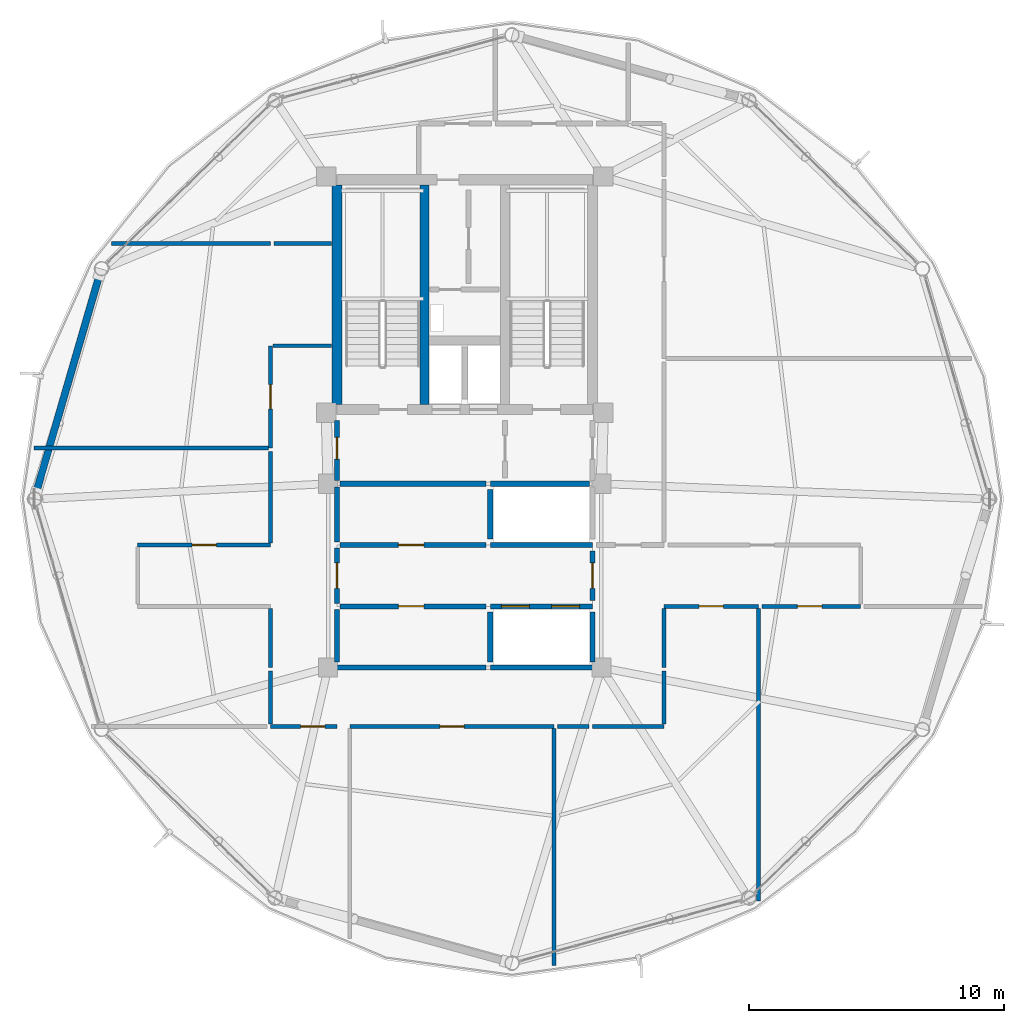
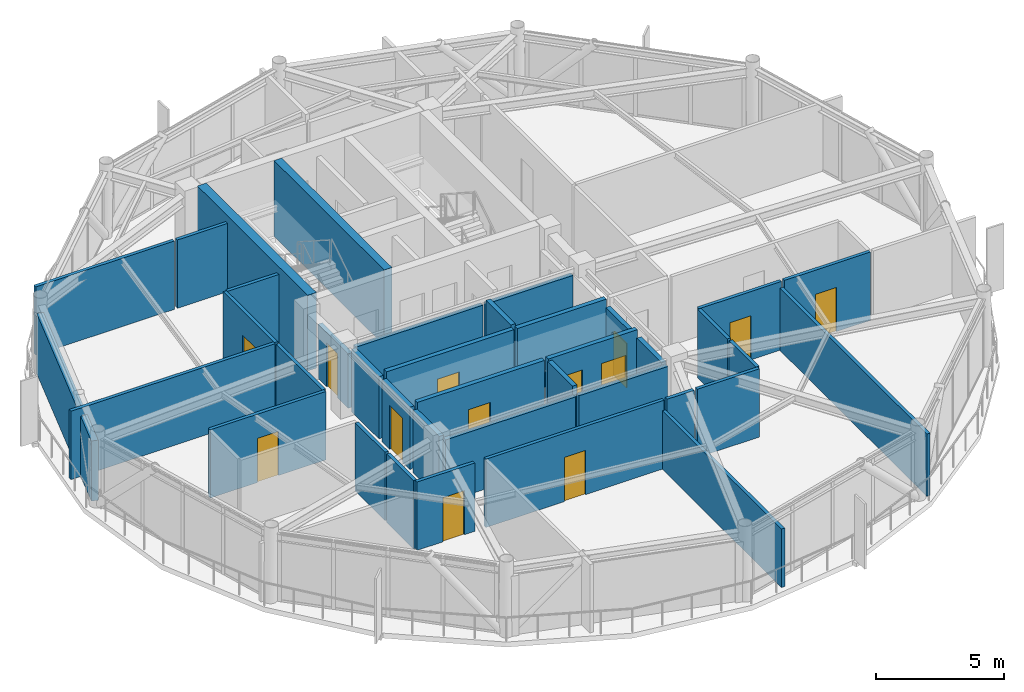
# One storey, part 23 of 28: 38 walls, 13 doors, 13 openings.
"""IFC4 building model written with IfcOpenShell, lengths in metres."""

from ifc_helpers import new_model, si_unit, direction, frame, frame_2d, origin, place, context, subcontext, project, spatial, rectangle, extrude, material, layer, layer_set, type_object, element, fill, save


model = new_model("IFC4")

# Units and contexts
model_context = context("Model", 3, precision=1e-05, world=origin(), true_north=direction((0.0, 1.0)))
body_context = subcontext(model_context, "Body", "Model", "MODEL_VIEW")
ifc_project = project(units=[si_unit("LENGTHUNIT", "METRE"), si_unit("AREAUNIT", "SQUARE_METRE"), si_unit("VOLUMEUNIT", "CUBIC_METRE"), si_unit("PLANEANGLEUNIT", "RADIAN"), si_unit("MASSUNIT", "GRAM", prefix="KILO")], contexts=[model_context])

# Site, building, storey
site_placement = place(None, origin())
site = spatial("IfcSite", under=ifc_project, at=site_placement, CompositionType="ELEMENT")
building_placement = place(site_placement, origin())
building = spatial("IfcBuilding", under=site, at=building_placement, Name="Varnakorn Sky Granary", CompositionType="ELEMENT")
storey_placement = place(building_placement, frame((0.0, 0.0, 236.39990234375)))
storey = spatial("IfcBuildingStorey", under=building, at=storey_placement, Name="L60", CompositionType="ELEMENT", Elevation=236.39990234375)

# Walls
ifc_material_1 = material(Name="Concrete C50/60", Category="concrete")
ifc_layer_1 = layer(ifc_material_1, 0.35009765625, Name="Concrete C50/60")
ifc_layer_set_1 = layer_set([ifc_layer_1], Name="Concrete C50/60")
wall_type_1 = type_object("IfcWallType", Name="WT-CW-INT-350", PredefinedType="SHEAR", material=ifc_layer_set_1)
wall_1_placement = place(storey_placement, frame((1.419921875, 3.7099609375, 0.0), z_axis=(0.0, 0.0, 1.0), x_axis=(0.0, 1.0, 0.0)))
element("IfcWall", 1, at=wall_1_placement, inside=storey, type_object=wall_type_1, Name="Stair ST-1 Core Wall L60", PredefinedType="SHEAR", context=body_context, shape_type="SweptSolid", body=[
    extrude(rectangle(XDim=8.580078125, YDim=0.35009765625, at=frame_2d((4.2900390625, 0.0))), origin(), (0.0, 0.0, 1.0), 3.592041015625),
])
ifc_layer_2 = layer(ifc_material_1, 0.39990234375, Name="Concrete C50/60")
ifc_layer_set_2 = layer_set([ifc_layer_2], Name="Concrete C50/60")
wall_type_2 = type_object("IfcWallType", Name="WT-CW-SHEAR-400", PredefinedType="SHEAR", material=ifc_layer_set_2)
wall_2_placement = place(storey_placement, frame((-2.0, 3.7099609375, 0.0), z_axis=(0.0, 0.0, 1.0), x_axis=(0.0, 1.0, 0.0)))
element("IfcWall", 2, at=wall_2_placement, inside=storey, type_object=wall_type_2, Name="Core West Shear Wall L60", PredefinedType="SHEAR", context=body_context, shape_type="SweptSolid", body=[
    extrude(rectangle(XDim=8.580078125, YDim=0.39990234375, at=frame_2d((4.2900390625, 0.0))), origin(), (0.0, 0.0, 1.0), 3.592041015625),
])
ifc_material_2 = material(Name="Precast concrete C40/50", Category="concrete")
ifc_layer_3 = layer(ifc_material_2, 0.280029296875, Name="Precast concrete C40/50")
ifc_layer_set_3 = layer_set([ifc_layer_3], Name="Precast concrete C40/50")
wall_type_3 = type_object("IfcWallType", Name="WT-EW-CRN-280", PredefinedType="SOLIDWALL", material=ifc_layer_set_3)
wall_3_placement = place(storey_placement, frame((-13.782470703125, 0.22509765625, 0.0), z_axis=(0.0, 0.0, 1.0), x_axis=(0.2791373763, 0.960251178157, 0.0)))
element("IfcWall", 3, at=wall_3_placement, inside=storey, type_object=wall_type_3, Name="Agritech Insulated Precast Facade Wall L60-P06", PredefinedType="SOLIDWALL", context=body_context, shape_type="SweptSolid", body=[
    extrude(rectangle(XDim=8.923828125, YDim=0.280029296875, at=frame_2d((4.4619140625, 0.0))), origin(), (0.0, 0.0, 1.0), 2.860107421875),
])

# Wall, opening, door
ifc_material_3 = material(Name="Autoclaved Aerated Concrete Blockwork", Category="masonry")
ifc_layer_4 = layer(ifc_material_3, 0.199951171875, Name="Autoclaved Aerated Concrete Blockwork")
ifc_layer_set_4 = layer_set([ifc_layer_4], Name="Autoclaved Aerated Concrete Blockwork")
wall_type_4 = type_object("IfcWallType", Name="WT-FIRE-200", PredefinedType="MOVABLE", material=ifc_layer_set_4)
wall_4_placement = place(storey_placement, frame((-2.0, 0.719970703125, 0.0), z_axis=(0.0, 0.0, 1.0), x_axis=(0.0, 1.0, 0.0)))
wall_4 = element("IfcWall", 4, at=wall_4_placement, inside=storey, type_object=wall_type_4, Name="Interior Partition Wall L60-013", PredefinedType="MOVABLE", context=body_context, shape_type="SweptSolid", body=[
    extrude(rectangle(XDim=2.35009765625, YDim=0.199951171875, at=frame_2d((1.175048828125, 0.0))), origin(), (0.0, 0.0, 1.0), 2.58203125),
])
opening_1_placement = place(wall_4_placement, frame((0.844970703125, 0.0, 0.0)))
opening_1 = element("IfcOpeningElement", 5, at=opening_1_placement, cuts=wall_4, Name="Opening FD-60N", PredefinedType="OPENING", context=body_context, shape_type="SweptSolid", body=[
    extrude(rectangle(XDim=0.85009765625, YDim=2.10009765625, at=frame_2d((0.425048828125, 1.050048828125))), frame((0.0, 0.10986328125, 0.0), z_axis=(0.0, -1.0, 0.0), x_axis=(1.0, 0.0, 0.0)), (0.0, 0.0, 1.0), 0.219970703125),
])
ifc_material_4 = material(Name="Acoustic Timber Fire Leaf", Category="wood")
door_type_1 = type_object("IfcDoorType", Name="DR-FD60-850", OperationType="NOTDEFINED", PredefinedType="DOOR", material=ifc_material_4)
door_1_placement = place(opening_1_placement, origin())
door_1 = element("IfcDoor", 6, at=door_1_placement, inside=storey, type_object=door_type_1, Name="Interior Door L60-013-1", OperationType="SINGLE_SWING_RIGHT", OverallHeight=2.10009765625, OverallWidth=0.85009765625, PredefinedType="DOOR", context=body_context, shape_type="SweptSolid", body=[
    extrude(rectangle(XDim=0.85009765625, YDim=2.10009765625, at=frame_2d((0.425048828125, 1.050048828125))), frame((0.0, 0.02490234375, 0.0), z_axis=(0.0, -1.0, 0.0), x_axis=(1.0, 0.0, 0.0)), (0.0, 0.0, 1.0), 0.050048828125),
])
fill(opening_1, door_1)

wall_5_placement = place(storey_placement, frame((-2.0, -4.080078125, 0.0), z_axis=(0.0, 0.0, 1.0), x_axis=(0.0, 1.0, 0.0)))
wall_5 = element("IfcWall", 7, at=wall_5_placement, inside=storey, type_object=wall_type_4, Name="Interior Partition Wall L60-015", PredefinedType="MOVABLE", context=body_context, shape_type="SweptSolid", body=[
    extrude(rectangle(XDim=2.16015625, YDim=0.199951171875, at=frame_2d((1.080078125, 0.0))), origin(), (0.0, 0.0, 1.0), 2.962158203125),
])
opening_2_placement = place(wall_5_placement, frame((0.580078125, 0.0, 0.0)))
opening_2 = element("IfcOpeningElement", 8, at=opening_2_placement, cuts=wall_5, Name="Opening FD-60", PredefinedType="OPENING", context=body_context, shape_type="SweptSolid", body=[
    extrude(rectangle(XDim=1.0, YDim=2.10009765625, at=frame_2d((0.5, 1.050048828125))), frame((0.0, 0.10986328125, 0.0), z_axis=(0.0, -1.0, 0.0), x_axis=(1.0, 0.0, 0.0)), (0.0, 0.0, 1.0), 0.219970703125),
])
door_type_2 = type_object("IfcDoorType", Name="DR-FD60-1000", OperationType="NOTDEFINED", PredefinedType="DOOR", material=ifc_material_4)
door_2_placement = place(opening_2_placement, origin())
door_2 = element("IfcDoor", 9, at=door_2_placement, inside=storey, type_object=door_type_2, Name="Interior Door L60-015-1", OperationType="SINGLE_SWING_RIGHT", OverallHeight=2.10009765625, OverallWidth=1.0, PredefinedType="DOOR", context=body_context, shape_type="SweptSolid", body=[
    extrude(rectangle(XDim=1.0, YDim=2.10009765625, at=frame_2d((0.5, 1.050048828125))), frame((0.0, 0.02490234375, 0.0), z_axis=(0.0, -1.0, 0.0), x_axis=(1.0, 0.0, 0.0)), (0.0, 0.0, 1.0), 0.050048828125),
])
fill(opening_2, door_2)

wall_6_placement = place(storey_placement, frame((8.0, -3.969970703125, 0.0), z_axis=(0.0, 0.0, 1.0), x_axis=(0.0, 1.0, 0.0)))
wall_6 = element("IfcWall", 10, at=wall_6_placement, inside=storey, type_object=wall_type_4, Name="Interior Partition Wall L60-016", PredefinedType="MOVABLE", context=body_context, shape_type="SweptSolid", body=[
    extrude(rectangle(XDim=1.93994140625, YDim=0.199951171875, at=frame_2d((0.969970703125, 0.0))), origin(), (0.0, 0.0, 1.0), 2.962158203125),
])
opening_3_placement = place(wall_6_placement, frame((0.469970703125, 0.0, 0.0)))
opening_3 = element("IfcOpeningElement", 11, at=opening_3_placement, cuts=wall_6, Name="Opening FD-60", PredefinedType="OPENING", context=body_context, shape_type="SweptSolid", body=[
    extrude(rectangle(XDim=1.0, YDim=2.10009765625, at=frame_2d((0.5, 1.050048828125))), frame((0.0, 0.10986328125, 0.0), z_axis=(0.0, -1.0, 0.0), x_axis=(1.0, 0.0, 0.0)), (0.0, 0.0, 1.0), 0.219970703125),
])
door_3_placement = place(opening_3_placement, origin())
door_3 = element("IfcDoor", 12, at=door_3_placement, inside=storey, type_object=door_type_2, Name="Interior Door L60-016-1", OperationType="SINGLE_SWING_LEFT", OverallHeight=2.10009765625, OverallWidth=1.0, PredefinedType="DOOR", context=body_context, shape_type="SweptSolid", body=[
    extrude(rectangle(XDim=1.0, YDim=2.10009765625, at=frame_2d((0.5, 1.050048828125))), frame((0.0, 0.02490234375, 0.0), z_axis=(0.0, -1.0, 0.0), x_axis=(1.0, 0.0, 0.0)), (0.0, 0.0, 1.0), 0.050048828125),
])
fill(opening_3, door_3)

wall_7_placement = place(storey_placement, frame((-1.889892578125, -1.800048828125, 0.0), z_axis=(0.0, 0.0, 1.0), x_axis=(1.0, 0.0, 0.0)))
wall_7 = element("IfcWall", 13, at=wall_7_placement, inside=storey, type_object=wall_type_4, Name="Interior Partition Wall L60-017", PredefinedType="MOVABLE", context=body_context, shape_type="SweptSolid", body=[
    extrude(rectangle(XDim=5.72998046875, YDim=0.199951171875, at=frame_2d((2.864990234375, 0.0))), origin(), (0.0, 0.0, 1.0), 3.25),
])
opening_4_placement = place(wall_7_placement, frame((2.2900390625, 0.0, 0.0)))
opening_4 = element("IfcOpeningElement", 14, at=opening_4_placement, cuts=wall_7, Name="Opening FD-60", PredefinedType="OPENING", context=body_context, shape_type="SweptSolid", body=[
    extrude(rectangle(XDim=1.0, YDim=2.10009765625, at=frame_2d((0.5, 1.050048828125))), frame((0.0, 0.10986328125, 0.0), z_axis=(0.0, -1.0, 0.0), x_axis=(1.0, 0.0, 0.0)), (0.0, 0.0, 1.0), 0.219970703125),
])
door_4_placement = place(opening_4_placement, origin())
door_4 = element("IfcDoor", 15, at=door_4_placement, inside=storey, type_object=door_type_2, Name="Interior Door L60-017-1", OperationType="SINGLE_SWING_RIGHT", OverallHeight=2.10009765625, OverallWidth=1.0, PredefinedType="DOOR", context=body_context, shape_type="SweptSolid", body=[
    extrude(rectangle(XDim=1.0, YDim=2.10009765625, at=frame_2d((0.5, 1.050048828125))), frame((0.0, 0.02490234375, 0.0), z_axis=(0.0, -1.0, 0.0), x_axis=(1.0, 0.0, 0.0)), (0.0, 0.0, 1.0), 0.050048828125),
])
fill(opening_4, door_4)

wall_8_placement = place(storey_placement, frame((-1.889892578125, -4.199951171875, 0.0), z_axis=(0.0, 0.0, 1.0), x_axis=(1.0, 0.0, 0.0)))
wall_8 = element("IfcWall", 16, at=wall_8_placement, inside=storey, type_object=wall_type_4, Name="Interior Partition Wall L60-018", PredefinedType="MOVABLE", context=body_context, shape_type="SweptSolid", body=[
    extrude(rectangle(XDim=5.72998046875, YDim=0.199951171875, at=frame_2d((2.864990234375, 0.0))), origin(), (0.0, 0.0, 1.0), 3.25),
])
opening_5_placement = place(wall_8_placement, frame((2.2900390625, 0.0, 0.0)))
opening_5 = element("IfcOpeningElement", 17, at=opening_5_placement, cuts=wall_8, Name="Opening FD-60", PredefinedType="OPENING", context=body_context, shape_type="SweptSolid", body=[
    extrude(rectangle(XDim=1.0, YDim=2.10009765625, at=frame_2d((0.5, 1.050048828125))), frame((0.0, 0.10986328125, 0.0), z_axis=(0.0, -1.0, 0.0), x_axis=(1.0, 0.0, 0.0)), (0.0, 0.0, 1.0), 0.219970703125),
])
door_5_placement = place(opening_5_placement, origin())
door_5 = element("IfcDoor", 18, at=door_5_placement, inside=storey, type_object=door_type_2, Name="Interior Door L60-018-1", OperationType="SINGLE_SWING_LEFT", OverallHeight=2.10009765625, OverallWidth=1.0, PredefinedType="DOOR", context=body_context, shape_type="SweptSolid", body=[
    extrude(rectangle(XDim=1.0, YDim=2.10009765625, at=frame_2d((0.5, 1.050048828125))), frame((0.0, 0.02490234375, 0.0), z_axis=(0.0, -1.0, 0.0), x_axis=(1.0, 0.0, 0.0)), (0.0, 0.0, 1.0), 0.050048828125),
])
fill(opening_5, door_5)

# Walls
wall_9_placement = place(storey_placement, frame((-1.8798828125, 0.60009765625, 0.0), z_axis=(0.0, 0.0, 1.0), x_axis=(1.0, 0.0, 0.0)))
element("IfcWall", 19, at=wall_9_placement, inside=storey, type_object=wall_type_4, Name="Interior Partition Wall L60-030", PredefinedType="MOVABLE", context=body_context, shape_type="SweptSolid", body=[
    extrude(rectangle(XDim=5.719970703125, YDim=0.199951171875, at=frame_2d((2.85986328125, 0.0))), origin(), (0.0, 0.0, 1.0), 2.962158203125),
])
wall_10_placement = place(storey_placement, frame((-2.0, -1.679931640625, 0.0), z_axis=(0.0, 0.0, 1.0), x_axis=(0.0, 1.0, 0.0)))
element("IfcWall", 20, at=wall_10_placement, inside=storey, type_object=wall_type_4, Name="Interior Partition Wall L60-031", PredefinedType="MOVABLE", context=body_context, shape_type="SweptSolid", body=[
    extrude(rectangle(XDim=2.159912109375, YDim=0.199951171875, at=frame_2d((1.080078125, 0.0))), origin(), (0.0, 0.0, 1.0), 2.962158203125),
])
wall_11_placement = place(storey_placement, frame((-2.0, -6.60009765625, 0.0), z_axis=(0.0, 0.0, 1.0), x_axis=(1.0, 0.0, 0.0)))
element("IfcWall", 21, at=wall_11_placement, inside=storey, type_object=wall_type_4, Name="Interior Partition Wall L60-032", PredefinedType="MOVABLE", context=body_context, shape_type="SweptSolid", body=[
    extrude(rectangle(XDim=5.840087890625, YDim=0.199951171875, at=frame_2d((2.919921875, 0.0))), origin(), (0.0, 0.0, 1.0), 2.962158203125),
])
wall_12_placement = place(storey_placement, frame((-2.0, -6.3701171875, 0.0), z_axis=(0.0, 0.0, 1.0), x_axis=(0.0, 1.0, 0.0)))
element("IfcWall", 22, at=wall_12_placement, inside=storey, type_object=wall_type_4, Name="Interior Partition Wall L60-033", PredefinedType="MOVABLE", context=body_context, shape_type="SweptSolid", body=[
    extrude(rectangle(XDim=2.050048828125, YDim=0.199951171875, at=frame_2d((1.02490234375, 0.0))), origin(), (0.0, 0.0, 1.0), 2.962158203125),
])

# Wall, opening, door
ifc_material_5 = material(Name="Gypsum Plasterboard on Steel Stud", Category="steel")
ifc_layer_5 = layer(ifc_material_5, 0.14990234375, Name="Gypsum Plasterboard on Steel Stud")
ifc_layer_set_5 = layer_set([ifc_layer_5], Name="Gypsum Plasterboard on Steel Stud")
wall_type_5 = type_object("IfcWallType", Name="WT-PART-150", PredefinedType="PARTITIONING", material=ifc_layer_set_5)
wall_13_placement = place(storey_placement, frame((-4.60009765625, -8.89990234375, 0.0), z_axis=(0.0, 0.0, 1.0), x_axis=(1.0, 0.0, 0.0)))
wall_13 = element("IfcWall", 23, at=wall_13_placement, inside=storey, type_object=wall_type_5, Name="Interior Partition Wall L60-021", PredefinedType="PARTITIONING", context=body_context, shape_type="SweptSolid", body=[
    extrude(rectangle(XDim=2.60009765625, YDim=0.14990234375, at=frame_2d((1.300048828125, 0.0))), origin(), (0.0, 0.0, 1.0), 3.25),
])
opening_6_placement = place(wall_13_placement, frame((1.175048828125, 0.0, 0.0)))
opening_6 = element("IfcOpeningElement", 24, at=opening_6_placement, cuts=wall_13, Name="Opening ID-95", PredefinedType="OPENING", context=body_context, shape_type="SweptSolid", body=[
    extrude(rectangle(XDim=0.949951171875, YDim=2.10009765625, at=frame_2d((0.47509765625, 1.050048828125))), frame((0.0, 0.0849609375, 0.0), z_axis=(0.0, -1.0, 0.0), x_axis=(1.0, 0.0, 0.0)), (0.0, 0.0, 1.0), 0.169921875),
])
ifc_material_6 = material(Name="Solid-Core Teak Veneer Leaf", Category="timber")
door_type_3 = type_object("IfcDoorType", Name="DR-INT-950", OperationType="NOTDEFINED", PredefinedType="DOOR", material=ifc_material_6)
door_6_placement = place(opening_6_placement, origin())
door_6 = element("IfcDoor", 25, at=door_6_placement, inside=storey, type_object=door_type_3, Name="Interior Door L60-021-1", OperationType="SINGLE_SWING_RIGHT", OverallHeight=2.10009765625, OverallWidth=0.949951171875, PredefinedType="DOOR", context=body_context, shape_type="SweptSolid", body=[
    extrude(rectangle(XDim=0.949951171875, YDim=2.10009765625, at=frame_2d((0.47509765625, 1.050048828125))), frame((0.0, 0.02490234375, 0.0), z_axis=(0.0, -1.0, 0.0), x_axis=(1.0, 0.0, 0.0)), (0.0, 0.0, 1.0), 0.050048828125),
])
fill(opening_6, door_6)

wall_14_placement = place(storey_placement, frame((-1.5, -8.89990234375, 0.0), z_axis=(0.0, 0.0, 1.0), x_axis=(1.0, 0.0, 0.0)))
wall_14 = element("IfcWall", 26, at=wall_14_placement, inside=storey, type_object=wall_type_5, Name="Interior Partition Wall L60-022", PredefinedType="PARTITIONING", context=body_context, shape_type="SweptSolid", body=[
    extrude(rectangle(XDim=8.0, YDim=0.14990234375, at=frame_2d((4.0, 0.0))), origin(), (0.0, 0.0, 1.0), 3.25),
])
opening_7_placement = place(wall_14_placement, frame((3.52490234375, 0.0, 0.0)))
opening_7 = element("IfcOpeningElement", 27, at=opening_7_placement, cuts=wall_14, Name="Opening ID-95", PredefinedType="OPENING", context=body_context, shape_type="SweptSolid", body=[
    extrude(rectangle(XDim=0.949951171875, YDim=2.10009765625, at=frame_2d((0.47509765625, 1.050048828125))), frame((0.0, 0.0849609375, 0.0), z_axis=(0.0, -1.0, 0.0), x_axis=(1.0, 0.0, 0.0)), (0.0, 0.0, 1.0), 0.169921875),
])
door_7_placement = place(opening_7_placement, origin())
door_7 = element("IfcDoor", 28, at=door_7_placement, inside=storey, type_object=door_type_3, Name="Interior Door L60-022-1", OperationType="SINGLE_SWING_LEFT", OverallHeight=2.10009765625, OverallWidth=0.949951171875, PredefinedType="DOOR", context=body_context, shape_type="SweptSolid", body=[
    extrude(rectangle(XDim=0.949951171875, YDim=2.10009765625, at=frame_2d((0.47509765625, 1.050048828125))), frame((0.0, 0.02490234375, 0.0), z_axis=(0.0, -1.0, 0.0), x_axis=(1.0, 0.0, 0.0)), (0.0, 0.0, 1.0), 0.050048828125),
])
fill(opening_7, door_7)

wall_15_placement = place(storey_placement, frame((10.800048828125, -4.199951171875, 0.0), z_axis=(0.0, 0.0, 1.0), x_axis=(1.0, 0.0, 0.0)))
wall_15 = element("IfcWall", 29, at=wall_15_placement, inside=storey, type_object=wall_type_5, Name="Interior Partition Wall L60-023", PredefinedType="PARTITIONING", context=body_context, shape_type="SweptSolid", body=[
    extrude(rectangle(XDim=3.699951171875, YDim=0.14990234375, at=frame_2d((1.85009765625, 0.0))), origin(), (0.0, 0.0, 1.0), 3.25),
])
opening_8_placement = place(wall_15_placement, frame((1.375, 0.0, 0.0)))
opening_8 = element("IfcOpeningElement", 30, at=opening_8_placement, cuts=wall_15, Name="Opening ID-95", PredefinedType="OPENING", context=body_context, shape_type="SweptSolid", body=[
    extrude(rectangle(XDim=0.949951171875, YDim=2.10009765625, at=frame_2d((0.47509765625, 1.050048828125))), frame((0.0, 0.0849609375, 0.0), z_axis=(0.0, -1.0, 0.0), x_axis=(1.0, 0.0, 0.0)), (0.0, 0.0, 1.0), 0.169921875),
])
door_8_placement = place(opening_8_placement, origin())
door_8 = element("IfcDoor", 31, at=door_8_placement, inside=storey, type_object=door_type_3, Name="Interior Door L60-023-1", OperationType="SINGLE_SWING_RIGHT", OverallHeight=2.10009765625, OverallWidth=0.949951171875, PredefinedType="DOOR", context=body_context, shape_type="SweptSolid", body=[
    extrude(rectangle(XDim=0.949951171875, YDim=2.10009765625, at=frame_2d((0.47509765625, 1.050048828125))), frame((0.0, 0.02490234375, 0.0), z_axis=(0.0, -1.0, 0.0), x_axis=(1.0, 0.0, 0.0)), (0.0, 0.0, 1.0), 0.050048828125),
])
fill(opening_8, door_8)

wall_16_placement = place(storey_placement, frame((14.635009765625, -4.199951171875, 0.0), z_axis=(0.0, 0.0, 1.0), x_axis=(1.0, 0.0, 0.0)))
wall_16 = element("IfcWall", 32, at=wall_16_placement, inside=storey, type_object=wall_type_5, Name="Interior Partition Wall L60-024", PredefinedType="PARTITIONING", context=body_context, shape_type="SweptSolid", body=[
    extrude(rectangle(XDim=3.864990234375, YDim=0.14990234375, at=frame_2d((1.9326171875, 0.0))), origin(), (0.0, 0.0, 1.0), 3.25),
])
opening_9_placement = place(wall_16_placement, frame((1.389892578125, 0.0, 0.0)))
opening_9 = element("IfcOpeningElement", 33, at=opening_9_placement, cuts=wall_16, Name="Opening ID-95", PredefinedType="OPENING", context=body_context, shape_type="SweptSolid", body=[
    extrude(rectangle(XDim=0.949951171875, YDim=2.10009765625, at=frame_2d((0.47509765625, 1.050048828125))), frame((0.0, 0.0849609375, 0.0), z_axis=(0.0, -1.0, 0.0), x_axis=(1.0, 0.0, 0.0)), (0.0, 0.0, 1.0), 0.169921875),
])
door_9_placement = place(opening_9_placement, origin())
door_9 = element("IfcDoor", 34, at=door_9_placement, inside=storey, type_object=door_type_3, Name="Interior Door L60-024-1", OperationType="SINGLE_SWING_LEFT", OverallHeight=2.10009765625, OverallWidth=0.949951171875, PredefinedType="DOOR", context=body_context, shape_type="SweptSolid", body=[
    extrude(rectangle(XDim=0.949951171875, YDim=2.10009765625, at=frame_2d((0.47509765625, 1.050048828125))), frame((0.0, 0.02490234375, 0.0), z_axis=(0.0, -1.0, 0.0), x_axis=(1.0, 0.0, 0.0)), (0.0, 0.0, 1.0), 0.050048828125),
])
fill(opening_9, door_9)

wall_17_placement = place(storey_placement, frame((-4.60009765625, -1.800048828125, 0.0), z_axis=(0.0, 0.0, 1.0), x_axis=(-1.0, 0.0, 0.0)))
wall_17 = element("IfcWall", 35, at=wall_17_placement, inside=storey, type_object=wall_type_5, Name="Interior Partition Wall L60-025", PredefinedType="PARTITIONING", context=body_context, shape_type="SweptSolid", body=[
    extrude(rectangle(XDim=5.199951171875, YDim=0.14990234375, at=frame_2d((2.60009765625, 0.0))), origin(), (0.0, 0.0, 1.0), 3.25),
])
opening_10_placement = place(wall_17_placement, frame((2.125, 0.0, 0.0)))
opening_10 = element("IfcOpeningElement", 36, at=opening_10_placement, cuts=wall_17, Name="Opening ID-95", PredefinedType="OPENING", context=body_context, shape_type="SweptSolid", body=[
    extrude(rectangle(XDim=0.949951171875, YDim=2.10009765625, at=frame_2d((0.47509765625, 1.050048828125))), frame((0.0, 0.0849609375, 0.0), z_axis=(0.0, -1.0, 0.0), x_axis=(1.0, 0.0, 0.0)), (0.0, 0.0, 1.0), 0.169921875),
])
door_10_placement = place(opening_10_placement, origin())
door_10 = element("IfcDoor", 37, at=door_10_placement, inside=storey, type_object=door_type_3, Name="Interior Door L60-025-1", OperationType="SINGLE_SWING_RIGHT", OverallHeight=2.10009765625, OverallWidth=0.949951171875, PredefinedType="DOOR", context=body_context, shape_type="SweptSolid", body=[
    extrude(rectangle(XDim=0.949951171875, YDim=2.10009765625, at=frame_2d((0.47509765625, 1.050048828125))), frame((0.0, 0.02490234375, 0.0), z_axis=(0.0, -1.0, 0.0), x_axis=(1.0, 0.0, 0.0)), (0.0, 0.0, 1.0), 0.050048828125),
])
fill(opening_10, door_10)

wall_18_placement = place(storey_placement, frame((-4.60009765625, 6.0, 0.0), z_axis=(0.0, 0.0, 1.0), x_axis=(0.0, -1.0, 0.0)))
wall_18 = element("IfcWall", 38, at=wall_18_placement, inside=storey, type_object=wall_type_5, Name="Interior Partition Wall L60-026", PredefinedType="PARTITIONING", context=body_context, shape_type="SweptSolid", body=[
    extrude(rectangle(XDim=4.0, YDim=0.14990234375, at=frame_2d((2.0, 0.0))), origin(), (0.0, 0.0, 1.0), 3.25),
])
opening_11_placement = place(wall_18_placement, frame((1.52490234375, 0.0, 0.0)))
opening_11 = element("IfcOpeningElement", 39, at=opening_11_placement, cuts=wall_18, Name="Opening ID-95", PredefinedType="OPENING", context=body_context, shape_type="SweptSolid", body=[
    extrude(rectangle(XDim=0.949951171875, YDim=2.10009765625, at=frame_2d((0.47509765625, 1.050048828125))), frame((0.0, 0.0849609375, 0.0), z_axis=(0.0, -1.0, 0.0), x_axis=(1.0, 0.0, 0.0)), (0.0, 0.0, 1.0), 0.169921875),
])
door_11_placement = place(opening_11_placement, origin())
door_11 = element("IfcDoor", 40, at=door_11_placement, inside=storey, type_object=door_type_3, Name="Interior Door L60-026-1", OperationType="SINGLE_SWING_LEFT", OverallHeight=2.10009765625, OverallWidth=0.949951171875, PredefinedType="DOOR", context=body_context, shape_type="SweptSolid", body=[
    extrude(rectangle(XDim=0.949951171875, YDim=2.10009765625, at=frame_2d((0.47509765625, 1.050048828125))), frame((0.0, 0.02490234375, 0.0), z_axis=(0.0, -1.0, 0.0), x_axis=(1.0, 0.0, 0.0)), (0.0, 0.0, 1.0), 0.050048828125),
])
fill(opening_11, door_11)

# Walls
wall_19_placement = place(storey_placement, frame((6.5, -8.985107421875, 0.0), z_axis=(0.0, 0.0, 1.0), x_axis=(0.0, -1.0, 0.0)))
element("IfcWall", 41, at=wall_19_placement, inside=storey, type_object=wall_type_5, Name="Interior Partition Wall L60-037", PredefinedType="PARTITIONING", context=body_context, shape_type="SweptSolid", body=[
    extrude(rectangle(XDim=9.27294921875, YDim=0.14990234375, at=frame_2d((4.636474609375, 0.0))), origin(), (0.0, 0.0, 1.0), 2.781982421875),
])
wall_20_placement = place(storey_placement, frame((8.0, -8.89990234375, 0.0), z_axis=(0.0, 0.0, 1.0), x_axis=(1.0, 0.0, 0.0)))
element("IfcWall", 42, at=wall_20_placement, inside=storey, type_object=wall_type_5, Name="Interior Partition Wall L60-038", PredefinedType="PARTITIONING", context=body_context, shape_type="SweptSolid", body=[
    extrude(rectangle(XDim=2.800048828125, YDim=0.14990234375, at=frame_2d((1.39990234375, 0.0))), origin(), (0.0, 0.0, 1.0), 3.25),
])
wall_21_placement = place(storey_placement, frame((10.800048828125, -6.60009765625, 0.0), z_axis=(0.0, 0.0, 1.0), x_axis=(0.0, 1.0, 0.0)))
element("IfcWall", 43, at=wall_21_placement, inside=storey, type_object=wall_type_5, Name="Interior Partition Wall L60-039", PredefinedType="PARTITIONING", context=body_context, shape_type="SweptSolid", body=[
    extrude(rectangle(XDim=2.315185546875, YDim=0.14990234375, at=frame_2d((1.15771484375, 0.0))), origin(), (0.0, 0.0, 1.0), 3.25),
])
wall_22_placement = place(storey_placement, frame((10.800048828125, -8.81494140625, 0.0), z_axis=(0.0, 0.0, 1.0), x_axis=(0.0, 1.0, 0.0)))
element("IfcWall", 44, at=wall_22_placement, inside=storey, type_object=wall_type_5, Name="Interior Partition Wall L60-040", PredefinedType="PARTITIONING", context=body_context, shape_type="SweptSolid", body=[
    extrude(rectangle(XDim=2.079833984375, YDim=0.14990234375, at=frame_2d((1.0400390625, 0.0))), origin(), (0.0, 0.0, 1.0), 3.25),
])
wall_23_placement = place(storey_placement, frame((6.635009765625, -8.89990234375, 0.0), z_axis=(0.0, 0.0, 1.0), x_axis=(1.0, 0.0, 0.0)))
element("IfcWall", 45, at=wall_23_placement, inside=storey, type_object=wall_type_5, Name="Interior Partition Wall L60-041", PredefinedType="PARTITIONING", context=body_context, shape_type="SweptSolid", body=[
    extrude(rectangle(XDim=1.22998046875, YDim=0.14990234375, at=frame_2d((0.614990234375, 0.0))), origin(), (0.0, 0.0, 1.0), 3.25),
])
wall_24_placement = place(storey_placement, frame((14.5, -4.284912109375, 0.0), z_axis=(0.0, 0.0, 1.0), x_axis=(0.0, -1.0, 0.0)))
element("IfcWall", 46, at=wall_24_placement, inside=storey, type_object=wall_type_5, Name="Interior Partition Wall L60-042", PredefinedType="PARTITIONING", context=body_context, shape_type="SweptSolid", body=[
    extrude(rectangle(XDim=11.443115234375, YDim=0.14990234375, at=frame_2d((5.7216796875, 0.0))), origin(), (0.0, 0.0, 1.0), 2.962158203125),
])
wall_25_placement = place(storey_placement, frame((-4.60009765625, 1.864990234375, 0.0), z_axis=(0.0, 0.0, 1.0), x_axis=(0.0, -1.0, 0.0)))
element("IfcWall", 47, at=wall_25_placement, inside=storey, type_object=wall_type_5, Name="Interior Partition Wall L60-045", PredefinedType="PARTITIONING", context=body_context, shape_type="SweptSolid", body=[
    extrude(rectangle(XDim=3.580078125, YDim=0.14990234375, at=frame_2d((1.7900390625, 0.0))), origin(), (0.0, 0.0, 1.0), 3.25),
])
wall_26_placement = place(storey_placement, frame((-4.60009765625, -4.284912109375, 0.0), z_axis=(0.0, 0.0, 1.0), x_axis=(0.0, -1.0, 0.0)))
element("IfcWall", 48, at=wall_26_placement, inside=storey, type_object=wall_type_5, Name="Interior Partition Wall L60-047", PredefinedType="PARTITIONING", context=body_context, shape_type="SweptSolid", body=[
    extrude(rectangle(XDim=2.315185546875, YDim=0.14990234375, at=frame_2d((1.15771484375, 0.0))), origin(), (0.0, 0.0, 1.0), 3.25),
])
wall_27_placement = place(storey_placement, frame((-4.60009765625, -6.735107421875, 0.0), z_axis=(0.0, 0.0, 1.0), x_axis=(0.0, -1.0, 0.0)))
element("IfcWall", 49, at=wall_27_placement, inside=storey, type_object=wall_type_5, Name="Interior Partition Wall L60-048", PredefinedType="PARTITIONING", context=body_context, shape_type="SweptSolid", body=[
    extrude(rectangle(XDim=2.079833984375, YDim=0.14990234375, at=frame_2d((1.0400390625, 0.0))), origin(), (0.0, 0.0, 1.0), 3.25),
])
wall_28_placement = place(storey_placement, frame((-13.867919921875, 2.0, 0.0), z_axis=(0.0, 0.0, 1.0), x_axis=(1.0, 0.0, 0.0)))
element("IfcWall", 50, at=wall_28_placement, inside=storey, type_object=wall_type_5, Name="Interior Partition Wall L60-049", PredefinedType="PARTITIONING", context=body_context, shape_type="SweptSolid", body=[
    extrude(rectangle(XDim=9.182861328125, YDim=0.14990234375, at=frame_2d((4.59130859375, 0.0))), origin(), (0.0, 0.0, 1.0), 3.25),
])
wall_29_placement = place(storey_placement, frame((-2.2099609375, 6.0, 0.0), z_axis=(0.0, 0.0, 1.0), x_axis=(-1.0, 0.0, 0.0)))
element("IfcWall", 51, at=wall_29_placement, inside=storey, type_object=wall_type_5, Name="Interior Partition Wall L60-050", PredefinedType="PARTITIONING", context=body_context, shape_type="SweptSolid", body=[
    extrude(rectangle(XDim=2.304931640625, YDim=0.14990234375, at=frame_2d((1.15234375, 0.0))), origin(), (0.0, 0.0, 1.0), 3.25),
])
wall_30_placement = place(storey_placement, frame((-10.8310546875, 10.0, 0.0), z_axis=(0.0, 0.0, 1.0), x_axis=(1.0, 0.0, 0.0)))
element("IfcWall", 52, at=wall_30_placement, inside=storey, type_object=wall_type_5, Name="Interior Partition Wall L60-051", PredefinedType="PARTITIONING", context=body_context, shape_type="SweptSolid", body=[
    extrude(rectangle(XDim=6.23095703125, YDim=0.14990234375, at=frame_2d((3.115478515625, 0.0))), origin(), (0.0, 0.0, 1.0), 3.25),
])
wall_31_placement = place(storey_placement, frame((-4.465087890625, 10.0, 0.0), z_axis=(0.0, 0.0, 1.0), x_axis=(1.0, 0.0, 0.0)))
element("IfcWall", 53, at=wall_31_placement, inside=storey, type_object=wall_type_5, Name="Interior Partition Wall L60-052", PredefinedType="PARTITIONING", context=body_context, shape_type="SweptSolid", body=[
    extrude(rectangle(XDim=2.255126953125, YDim=0.14990234375, at=frame_2d((1.12744140625, 0.0))), origin(), (0.0, 0.0, 1.0), 3.25),
])
ifc_layer_6 = layer(ifc_material_3, 0.199951171875, Name="Autoclaved Aerated Concrete Blockwork")
ifc_layer_set_6 = layer_set([ifc_layer_6], Name="Autoclaved Aerated Concrete Blockwork")
wall_type_6 = type_object("IfcWallType", Name="WT-SHAFT-200", PredefinedType="SOLIDWALL", material=ifc_layer_set_6)
wall_32_placement = place(storey_placement, frame((4.0, 0.60009765625, 0.0), z_axis=(0.0, 0.0, 1.0), x_axis=(1.0, 0.0, 0.0)))
element("IfcWall", 54, at=wall_32_placement, inside=storey, type_object=wall_type_6, Name="Interior Partition Wall L60-002", PredefinedType="SOLIDWALL", context=body_context, shape_type="SweptSolid", body=[
    extrude(rectangle(XDim=3.8798828125, YDim=0.199951171875, at=frame_2d((1.93994140625, 0.0))), origin(), (0.0, 0.0, 1.0), 2.962158203125),
])
wall_33_placement = place(storey_placement, frame((4.0, -1.800048828125, 0.0), z_axis=(0.0, 0.0, 1.0), x_axis=(1.0, 0.0, 0.0)))
element("IfcWall", 55, at=wall_33_placement, inside=storey, type_object=wall_type_6, Name="Interior Partition Wall L60-003", PredefinedType="SOLIDWALL", context=body_context, shape_type="SweptSolid", body=[
    extrude(rectangle(XDim=4.0, YDim=0.199951171875, at=frame_2d((2.0, 0.0))), origin(), (0.0, 0.0, 1.0), 3.25),
])
wall_34_placement = place(storey_placement, frame((4.0, -1.570068359375, 0.0), z_axis=(0.0, 0.0, 1.0), x_axis=(0.0, 1.0, 0.0)))
element("IfcWall", 56, at=wall_34_placement, inside=storey, type_object=wall_type_6, Name="Interior Partition Wall L60-004", PredefinedType="SOLIDWALL", context=body_context, shape_type="SweptSolid", body=[
    extrude(rectangle(XDim=1.940185546875, YDim=0.199951171875, at=frame_2d((0.97021484375, 0.0))), origin(), (0.0, 0.0, 1.0), 3.25),
])

# Wall, openings, doors
wall_35_placement = place(storey_placement, frame((4.0, -4.199951171875, 0.0), z_axis=(0.0, 0.0, 1.0), x_axis=(1.0, 0.0, 0.0)))
wall_35 = element("IfcWall", 57, at=wall_35_placement, inside=storey, type_object=wall_type_6, Name="Interior Partition Wall L60-006", PredefinedType="SOLIDWALL", context=body_context, shape_type="SweptSolid", body=[
    extrude(rectangle(XDim=4.0, YDim=0.199951171875, at=frame_2d((2.0, 0.0))), origin(), (0.0, 0.0, 1.0), 3.25),
])
opening_12_placement = place(wall_35_placement, frame((0.429931640625, 0.0, 0.0)))
opening_12 = element("IfcOpeningElement", 58, at=opening_12_placement, cuts=wall_35, Name="Opening LD-01", PredefinedType="OPENING", context=body_context, shape_type="SweptSolid", body=[
    extrude(rectangle(XDim=1.10009765625, YDim=2.199951171875, at=frame_2d((0.550048828125, 1.10009765625))), frame((0.0, 0.10986328125, 0.0), z_axis=(0.0, -1.0, 0.0), x_axis=(1.0, 0.0, 0.0)), (0.0, 0.0, 1.0), 0.219970703125),
])
opening_13_placement = place(wall_35_placement, frame((2.39990234375, 0.0, 0.0)))
opening_13 = element("IfcOpeningElement", 59, at=opening_13_placement, cuts=wall_35, Name="Opening LD-01", PredefinedType="OPENING", context=body_context, shape_type="SweptSolid", body=[
    extrude(rectangle(XDim=1.10009765625, YDim=2.199951171875, at=frame_2d((0.550048828125, 1.10009765625))), frame((0.0, 0.10986328125, 0.0), z_axis=(0.0, -1.0, 0.0), x_axis=(1.0, 0.0, 0.0)), (0.0, 0.0, 1.0), 0.219970703125),
])
ifc_material_7 = material(Name="Brushed Bronze Stainless Steel", Category="steel")
door_type_4 = type_object("IfcDoorType", Name="DR-LD-1100", OperationType="DOUBLE_DOOR_SLIDING", PredefinedType="DOOR", material=ifc_material_7)
door_12_placement = place(opening_12_placement, origin())
door_12 = element("IfcDoor", 60, at=door_12_placement, inside=storey, type_object=door_type_4, Name="Passenger Lift PL-H1 Sliding Landing Door L60", OperationType="DOUBLE_DOOR_SLIDING", OverallHeight=2.199951171875, OverallWidth=1.10009765625, PredefinedType="DOOR", context=body_context, shape_type="SweptSolid", body=[
    extrude(rectangle(XDim=1.10009765625, YDim=2.199951171875, at=frame_2d((0.550048828125, 1.10009765625))), frame((0.0, 0.02490234375, 0.0), z_axis=(0.0, -1.0, 0.0), x_axis=(1.0, 0.0, 0.0)), (0.0, 0.0, 1.0), 0.050048828125),
])
fill(opening_12, door_12)
door_13_placement = place(opening_13_placement, origin())
door_13 = element("IfcDoor", 61, at=door_13_placement, inside=storey, type_object=door_type_4, Name="Passenger Lift PL-H2 Sliding Landing Door L60", OperationType="DOUBLE_DOOR_SLIDING", OverallHeight=2.199951171875, OverallWidth=1.10009765625, PredefinedType="DOOR", context=body_context, shape_type="SweptSolid", body=[
    extrude(rectangle(XDim=1.10009765625, YDim=2.199951171875, at=frame_2d((0.550048828125, 1.10009765625))), frame((0.0, 0.02490234375, 0.0), z_axis=(0.0, -1.0, 0.0), x_axis=(1.0, 0.0, 0.0)), (0.0, 0.0, 1.0), 0.050048828125),
])
fill(opening_13, door_13)

# Walls
wall_36_placement = place(storey_placement, frame((4.0, -6.60009765625, 0.0), z_axis=(0.0, 0.0, 1.0), x_axis=(1.0, 0.0, 0.0)))
element("IfcWall", 62, at=wall_36_placement, inside=storey, type_object=wall_type_6, Name="Interior Partition Wall L60-007", PredefinedType="SOLIDWALL", context=body_context, shape_type="SweptSolid", body=[
    extrude(rectangle(XDim=4.0, YDim=0.199951171875, at=frame_2d((2.0, 0.0))), origin(), (0.0, 0.0, 1.0), 2.962158203125),
])
wall_37_placement = place(storey_placement, frame((4.0, -6.3701171875, 0.0), z_axis=(0.0, 0.0, 1.0), x_axis=(0.0, 1.0, 0.0)))
element("IfcWall", 63, at=wall_37_placement, inside=storey, type_object=wall_type_6, Name="Interior Partition Wall L60-008", PredefinedType="SOLIDWALL", context=body_context, shape_type="SweptSolid", body=[
    extrude(rectangle(XDim=1.940185546875, YDim=0.199951171875, at=frame_2d((0.97021484375, 0.0))), origin(), (0.0, 0.0, 1.0), 3.25),
])
wall_38_placement = place(storey_placement, frame((8.0, -6.3701171875, 0.0), z_axis=(0.0, 0.0, 1.0), x_axis=(0.0, 1.0, 0.0)))
element("IfcWall", 64, at=wall_38_placement, inside=storey, type_object=wall_type_6, Name="Interior Partition Wall L60-009", PredefinedType="SOLIDWALL", context=body_context, shape_type="SweptSolid", body=[
    extrude(rectangle(XDim=1.940185546875, YDim=0.199951171875, at=frame_2d((0.97021484375, 0.0))), origin(), (0.0, 0.0, 1.0), 2.962158203125),
])

save(model, "model.ifc")
